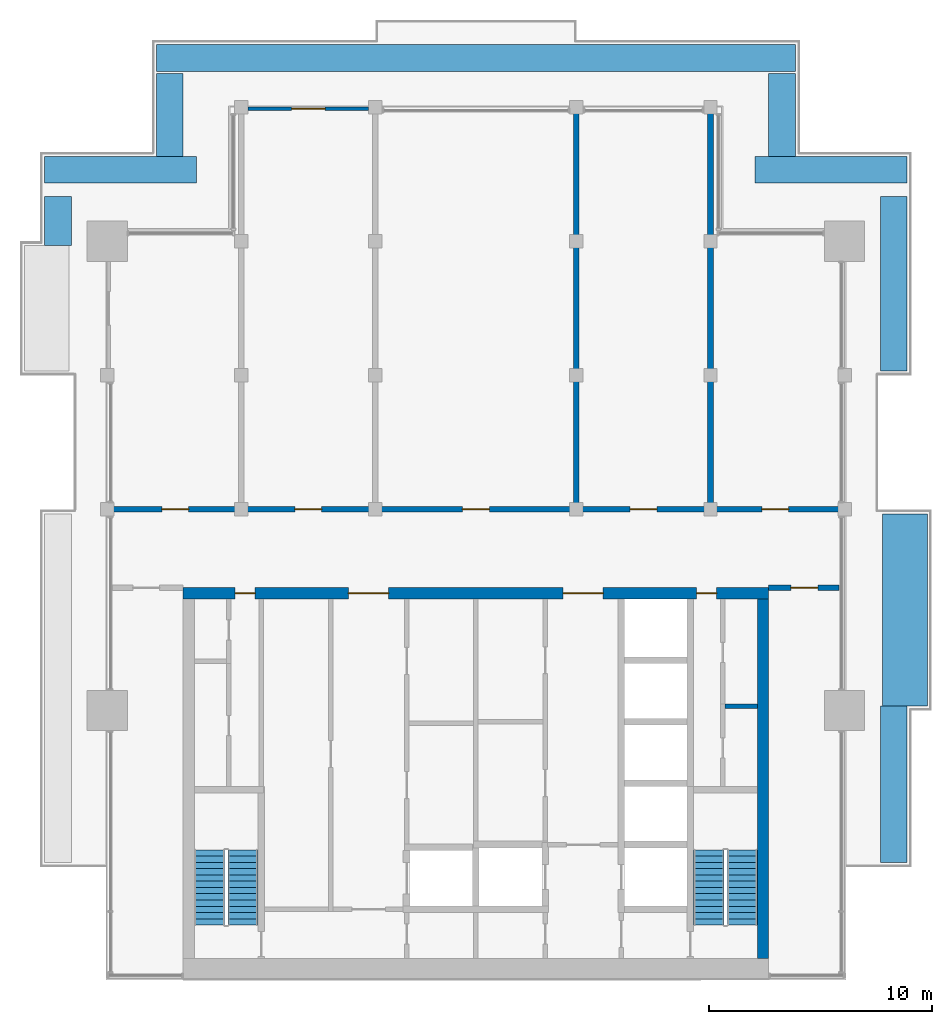
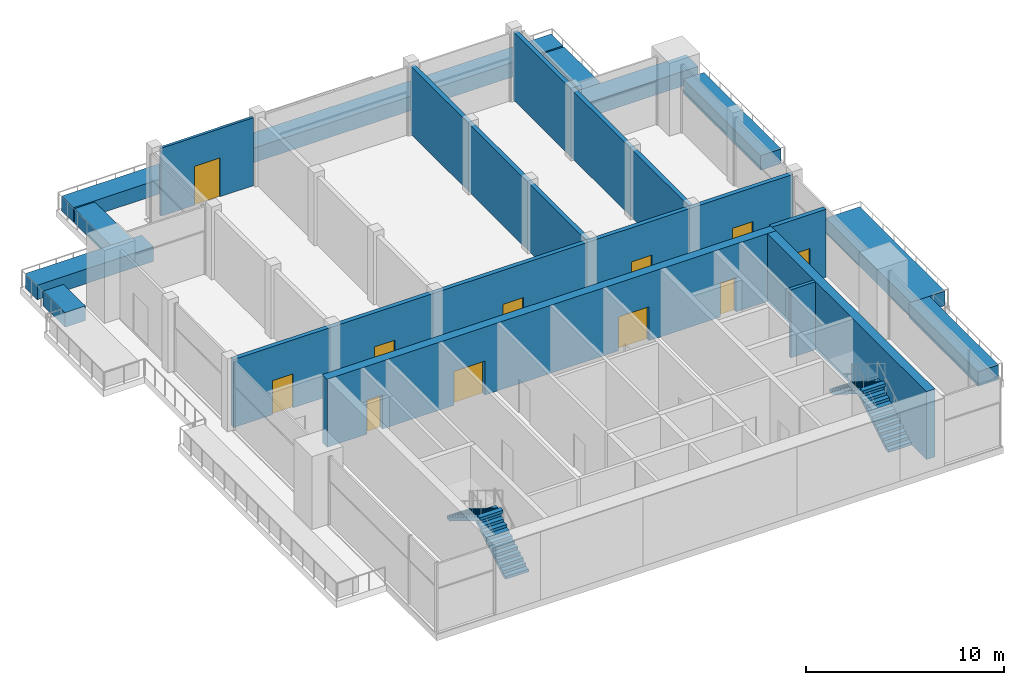
# One storey, part 7 of 9: 17 walls, 11 doors, 4 stair flights, 11 openings, 2 elements without a shape of their own.
"""IFC4 building model written with IfcOpenShell, lengths in metres."""

from ifc_helpers import new_model, si_unit, direction, frame, frame_2d, origin, place, context, subcontext, project, spatial, polyline, rectangle, outline, extrude, material, layer, layer_set, type_object, element, fill, aggregate, save


model = new_model("IFC4")

# Units and contexts
model_context = context("Model", 3, precision=1e-05, world=origin(), true_north=direction((0.0, 1.0)))
body_context = subcontext(model_context, "Body", "Model", "MODEL_VIEW")
ifc_project = project(units=[si_unit("LENGTHUNIT", "METRE"), si_unit("AREAUNIT", "SQUARE_METRE"), si_unit("VOLUMEUNIT", "CUBIC_METRE"), si_unit("PLANEANGLEUNIT", "RADIAN"), si_unit("MASSUNIT", "GRAM", prefix="KILO")], contexts=[model_context])

# Site, building, storey
site_placement = place(None, origin())
site = spatial("IfcSite", under=ifc_project, at=site_placement, CompositionType="ELEMENT")
building_placement = place(site_placement, origin())
building = spatial("IfcBuilding", under=site, at=building_placement, Name="Finial Court Residences", CompositionType="ELEMENT")
storey_placement = place(building_placement, frame((0.0, 0.0, 298.699951171875)))
storey = spatial("IfcBuildingStorey", under=building, at=storey_placement, Name="L76", CompositionType="ELEMENT", Elevation=298.699951171875)

# Wall, openings, doors
ifc_material_1 = material(Name="Concrete C50/60", Category="concrete")
ifc_layer_1 = layer(ifc_material_1, 0.5)
ifc_layer_set_1 = layer_set([ifc_layer_1], Name="Core outer wall 500 Concrete C50/60")
wall_type_1 = type_object("IfcWallType", Name="Core outer wall 500 Concrete C50/60", PredefinedType="SHEAR", material=ifc_layer_set_1)
wall_1_placement = place(storey_placement, frame((-13.10009765625, -8.25, 0.0), z_axis=(0.0, 0.0, 1.0), x_axis=(1.0, 0.0, 0.0)))
wall_1 = element("IfcWall", 1, at=wall_1_placement, inside=storey, type_object=wall_type_1, Name="Core outer wall L76-02", PredefinedType="SHEAR", context=body_context, shape_type="SweptSolid", body=[
    extrude(rectangle(XDim=26.2001953125, YDim=0.5, at=frame_2d((13.10009765625, 0.0))), origin(), (0.0, 0.0, 1.0), 4.199951171875),
])
opening_1_placement = place(wall_1_placement, frame((7.39990234375, 0.0, 0.0)))
opening_1 = element("IfcOpeningElement", 2, at=opening_1_placement, cuts=wall_1, Name="Opening L76-C03", PredefinedType="OPENING", context=body_context, shape_type="SweptSolid", body=[
    extrude(rectangle(XDim=1.800048828125, YDim=2.10009765625, at=frame_2d((0.89990234375, 1.050048828125))), frame((0.0, 0.260009765625, 0.0), z_axis=(0.0, -1.0, 0.0), x_axis=(1.0, 0.0, 0.0)), (0.0, 0.0, 1.0), 0.52001953125),
])
opening_2_placement = place(wall_1_placement, frame((17.0, 0.0, 0.0)))
opening_2 = element("IfcOpeningElement", 3, at=opening_2_placement, cuts=wall_1, Name="Opening L76-C04", PredefinedType="OPENING", context=body_context, shape_type="SweptSolid", body=[
    extrude(rectangle(XDim=1.800048828125, YDim=2.10009765625, at=frame_2d((0.89990234375, 1.050048828125))), frame((0.0, 0.260009765625, 0.0), z_axis=(0.0, -1.0, 0.0), x_axis=(1.0, 0.0, 0.0)), (0.0, 0.0, 1.0), 0.52001953125),
])
opening_3_placement = place(wall_1_placement, frame((2.324951171875, 0.0, 0.0)))
opening_3 = element("IfcOpeningElement", 4, at=opening_3_placement, cuts=wall_1, Name="Opening L76-C13", PredefinedType="OPENING", context=body_context, shape_type="SweptSolid", body=[
    extrude(rectangle(XDim=0.89990234375, YDim=2.10009765625, at=frame_2d((0.449951171875, 1.050048828125))), frame((0.0, 0.260009765625, 0.0), z_axis=(0.0, -1.0, 0.0), x_axis=(1.0, 0.0, 0.0)), (0.0, 0.0, 1.0), 0.52001953125),
])
opening_4_placement = place(wall_1_placement, frame((22.97509765625, 0.0, 0.0)))
opening_4 = element("IfcOpeningElement", 5, at=opening_4_placement, cuts=wall_1, Name="Opening L76-C14", PredefinedType="OPENING", context=body_context, shape_type="SweptSolid", body=[
    extrude(rectangle(XDim=0.89990234375, YDim=2.10009765625, at=frame_2d((0.449951171875, 1.050048828125))), frame((0.0, 0.260009765625, 0.0), z_axis=(0.0, -1.0, 0.0), x_axis=(1.0, 0.0, 0.0)), (0.0, 0.0, 1.0), 0.52001953125),
])
ifc_material_2 = material(Name="Steel fire door", Category="steel")
door_type_1 = type_object("IfcDoorType", Name="Lift lobby door 1800 x 2100 EI 60", OperationType="DOUBLE_DOOR_SINGLE_SWING", PredefinedType="DOOR", material=ifc_material_2)
door_1_placement = place(opening_1_placement, origin())
door_1 = element("IfcDoor", 6, at=door_1_placement, inside=storey, type_object=door_type_1, Name="Lift lobby door L76-C03", OperationType="DOUBLE_DOOR_SINGLE_SWING", OverallHeight=2.10009765625, OverallWidth=1.800048828125, PredefinedType="DOOR", context=body_context, shape_type="SweptSolid", body=[
    extrude(rectangle(XDim=1.800048828125, YDim=2.10009765625, at=frame_2d((0.89990234375, 1.050048828125))), frame((0.0, 0.02490234375, 0.0), z_axis=(0.0, -1.0, 0.0), x_axis=(1.0, 0.0, 0.0)), (0.0, 0.0, 1.0), 0.050048828125),
])
fill(opening_1, door_1)
door_2_placement = place(opening_2_placement, origin())
door_2 = element("IfcDoor", 7, at=door_2_placement, inside=storey, type_object=door_type_1, Name="Lift lobby door L76-C04", OperationType="DOUBLE_DOOR_SINGLE_SWING", OverallHeight=2.10009765625, OverallWidth=1.800048828125, PredefinedType="DOOR", context=body_context, shape_type="SweptSolid", body=[
    extrude(rectangle(XDim=1.800048828125, YDim=2.10009765625, at=frame_2d((0.89990234375, 1.050048828125))), frame((0.0, 0.02490234375, 0.0), z_axis=(0.0, -1.0, 0.0), x_axis=(1.0, 0.0, 0.0)), (0.0, 0.0, 1.0), 0.050048828125),
])
fill(opening_2, door_2)
door_type_2 = type_object("IfcDoorType", Name="Riser room door 900 x 2100 EI 90", OperationType="NOTDEFINED", PredefinedType="DOOR", material=ifc_material_2)
door_3_placement = place(opening_3_placement, origin())
door_3 = element("IfcDoor", 8, at=door_3_placement, inside=storey, type_object=door_type_2, Name="Riser room door L76-C13", OperationType="SINGLE_SWING_RIGHT", OverallHeight=2.10009765625, OverallWidth=0.89990234375, PredefinedType="DOOR", context=body_context, shape_type="SweptSolid", body=[
    extrude(rectangle(XDim=0.89990234375, YDim=2.10009765625, at=frame_2d((0.449951171875, 1.050048828125))), frame((0.0, 0.02490234375, 0.0), z_axis=(0.0, -1.0, 0.0), x_axis=(1.0, 0.0, 0.0)), (0.0, 0.0, 1.0), 0.050048828125),
])
fill(opening_3, door_3)
door_4_placement = place(opening_4_placement, origin())
door_4 = element("IfcDoor", 9, at=door_4_placement, inside=storey, type_object=door_type_2, Name="Riser room door L76-C14", OperationType="SINGLE_SWING_LEFT", OverallHeight=2.10009765625, OverallWidth=0.89990234375, PredefinedType="DOOR", context=body_context, shape_type="SweptSolid", body=[
    extrude(rectangle(XDim=0.89990234375, YDim=2.10009765625, at=frame_2d((0.449951171875, 1.050048828125))), frame((0.0, 0.02490234375, 0.0), z_axis=(0.0, -1.0, 0.0), x_axis=(1.0, 0.0, 0.0)), (0.0, 0.0, 1.0), 0.050048828125),
])
fill(opening_4, door_4)

# Wall
wall_2_placement = place(storey_placement, frame((12.85009765625, -24.60009765625, 0.0), z_axis=(0.0, 0.0, 1.0), x_axis=(0.0, 1.0, 0.0)))
element("IfcWall", 10, at=wall_2_placement, inside=storey, type_object=wall_type_1, Name="Core outer wall L76-04", PredefinedType="SHEAR", context=body_context, shape_type="SweptSolid", body=[
    extrude(rectangle(XDim=16.10009765625, YDim=0.5, at=frame_2d((8.050048828125, 0.0))), origin(), (0.0, 0.0, 1.0), 4.199951171875),
])

# Wall, opening, door
ifc_material_3 = material(Name="Natural limestone", Category="masonry")
ifc_layer_2 = layer(ifc_material_3, 0.14990234375)
ifc_layer_set_2 = layer_set([ifc_layer_2], Name="Limestone clad wall 150")
wall_type_2 = type_object("IfcWallType", Name="Limestone clad wall 150", PredefinedType="SOLIDWALL", material=ifc_layer_set_2)
wall_3_placement = place(storey_placement, frame((-10.199951171875, 13.425048828125, 0.0), z_axis=(0.0, 0.0, 1.0), x_axis=(1.0, 0.0, 0.0)))
wall_3 = element("IfcWall", 11, at=wall_3_placement, inside=storey, type_object=wall_type_2, Name="E-L76-L76-TD1-W", PredefinedType="SOLIDWALL", context=body_context, shape_type="SweptSolid", body=[
    extrude(rectangle(XDim=5.39990234375, YDim=0.14990234375, at=frame_2d((2.699951171875, 0.0))), origin(), (0.0, 0.0, 1.0), 4.199951171875),
])
opening_5_placement = place(wall_3_placement, frame((1.949951171875, 0.0, 0.0)))
opening_5 = element("IfcOpeningElement", 12, at=opening_5_placement, cuts=wall_3, Name="Opening DE76-01", PredefinedType="OPENING", context=body_context, shape_type="SweptSolid", body=[
    extrude(rectangle(XDim=1.5, YDim=2.39990234375, at=frame_2d((0.75, 1.199951171875))), frame((0.0, 0.0849609375, 0.0), z_axis=(0.0, -1.0, 0.0), x_axis=(1.0, 0.0, 0.0)), (0.0, 0.0, 1.0), 0.169921875),
])
ifc_material_4 = material(Name="Bronze anodised aluminium", Category="aluminium")
door_type_3 = type_object("IfcDoorType", Name="Terrace door 1500 x 2400", OperationType="DOUBLE_DOOR_SINGLE_SWING", PredefinedType="DOOR", material=ifc_material_4)
door_5_placement = place(opening_5_placement, origin())
door_5 = element("IfcDoor", 13, at=door_5_placement, inside=storey, type_object=door_type_3, Name="E-L76-L76-TD1-W-D", OperationType="DOUBLE_DOOR_SINGLE_SWING", OverallHeight=2.39990234375, OverallWidth=1.5, PredefinedType="DOOR", context=body_context, shape_type="SweptSolid", body=[
    extrude(rectangle(XDim=1.5, YDim=2.39990234375, at=frame_2d((0.75, 1.199951171875))), frame((0.0, 0.02490234375, 0.0), z_axis=(0.0, -1.0, 0.0), x_axis=(1.0, 0.0, 0.0)), (0.0, 0.0, 1.0), 0.050048828125),
])
fill(opening_5, door_5)

ifc_material_5 = material(Name="Fire-rated board")
ifc_layer_3 = layer(ifc_material_5, 0.050048828125)
ifc_material_6 = material(Name="Mineral wool in double frame")
ifc_layer_4 = layer(ifc_material_6, 0.14990234375)
ifc_layer_5 = layer(ifc_material_5, 0.050048828125)
ifc_layer_set_3 = layer_set([ifc_layer_3, ifc_layer_4, ifc_layer_5], Name="Plant room wall 250, 2 hour")
wall_type_3 = type_object("IfcWallType", Name="Plant room wall 250, 2 hour", PredefinedType="PARTITIONING", material=ifc_layer_set_3)
wall_4_placement = place(storey_placement, frame((13.10009765625, -8.0, 0.0), z_axis=(0.0, 0.0, 1.0), x_axis=(1.0, 0.0, 0.0)))
wall_4 = element("IfcWall", 14, at=wall_4_placement, inside=storey, type_object=wall_type_3, Name="Partition L76-001", PredefinedType="PARTITIONING", context=body_context, shape_type="SweptSolid", body=[
    extrude(rectangle(XDim=3.14990234375, YDim=0.25, at=frame_2d((1.574951171875, 0.0))), origin(), (0.0, 0.0, 1.0), 4.199951171875),
])
opening_6_placement = place(wall_4_placement, frame((1.0, 0.0, 0.0)))
opening_6 = element("IfcOpeningElement", 15, at=opening_6_placement, cuts=wall_4, Name="Opening L76-D002", PredefinedType="OPENING", context=body_context, shape_type="SweptSolid", body=[
    extrude(rectangle(XDim=1.199951171875, YDim=2.10009765625, at=frame_2d((0.60009765625, 1.050048828125))), frame((0.0, 0.135009765625, 0.0), z_axis=(0.0, -1.0, 0.0), x_axis=(1.0, 0.0, 0.0)), (0.0, 0.0, 1.0), 0.27001953125),
])
ifc_material_7 = material(Name="Timber door leaf in hollow metal frame", Category="wood")
door_type_4 = type_object("IfcDoorType", Name="Fire door set 1200 x 2100, 60 minutes", OperationType="SINGLE_SWING_LEFT", PredefinedType="DOOR", material=ifc_material_7)
door_6_placement = place(opening_6_placement, origin())
door_6 = element("IfcDoor", 16, at=door_6_placement, inside=storey, type_object=door_type_4, Name="Door L76-D002", OperationType="SINGLE_SWING_LEFT", OverallHeight=2.10009765625, OverallWidth=1.199951171875, PredefinedType="DOOR", context=body_context, shape_type="SweptSolid", body=[
    extrude(rectangle(XDim=1.199951171875, YDim=2.10009765625, at=frame_2d((0.60009765625, 1.050048828125))), frame((0.0, 0.02490234375, 0.0), z_axis=(0.0, -1.0, 0.0), x_axis=(1.0, 0.0, 0.0)), (0.0, 0.0, 1.0), 0.050048828125),
])
fill(opening_6, door_6)

# Wall, openings, doors
wall_5_placement = place(storey_placement, frame((-16.35009765625, -4.5, 0.0), z_axis=(0.0, 0.0, 1.0), x_axis=(1.0, 0.0, 0.0)))
wall_5 = element("IfcWall", 17, at=wall_5_placement, inside=storey, type_object=wall_type_3, Name="Partition L76-002", PredefinedType="PARTITIONING", context=body_context, shape_type="SweptSolid", body=[
    extrude(rectangle(XDim=32.7001953125, YDim=0.25, at=frame_2d((16.35009765625, 0.0))), origin(), (0.0, 0.0, 1.0), 4.199951171875),
])
opening_7_placement = place(wall_5_placement, frame((2.300048828125, 0.0, 0.0)))
opening_7 = element("IfcOpeningElement", 18, at=opening_7_placement, cuts=wall_5, Name="Opening L76-D003", PredefinedType="OPENING", context=body_context, shape_type="SweptSolid", body=[
    extrude(rectangle(XDim=1.199951171875, YDim=2.10009765625, at=frame_2d((0.60009765625, 1.050048828125))), frame((0.0, 0.135009765625, 0.0), z_axis=(0.0, -1.0, 0.0), x_axis=(1.0, 0.0, 0.0)), (0.0, 0.0, 1.0), 0.27001953125),
])
opening_8_placement = place(wall_5_placement, frame((8.25, 0.0, 0.0)))
opening_8 = element("IfcOpeningElement", 19, at=opening_8_placement, cuts=wall_5, Name="Opening L76-D004", PredefinedType="OPENING", context=body_context, shape_type="SweptSolid", body=[
    extrude(rectangle(XDim=1.199951171875, YDim=2.10009765625, at=frame_2d((0.60009765625, 1.050048828125))), frame((0.0, 0.135009765625, 0.0), z_axis=(0.0, -1.0, 0.0), x_axis=(1.0, 0.0, 0.0)), (0.0, 0.0, 1.0), 0.27001953125),
])
opening_9_placement = place(wall_5_placement, frame((15.75, 0.0, 0.0)))
opening_9 = element("IfcOpeningElement", 20, at=opening_9_placement, cuts=wall_5, Name="Opening L76-D005", PredefinedType="OPENING", context=body_context, shape_type="SweptSolid", body=[
    extrude(rectangle(XDim=1.199951171875, YDim=2.10009765625, at=frame_2d((0.60009765625, 1.050048828125))), frame((0.0, 0.135009765625, 0.0), z_axis=(0.0, -1.0, 0.0), x_axis=(1.0, 0.0, 0.0)), (0.0, 0.0, 1.0), 0.27001953125),
])
opening_10_placement = place(wall_5_placement, frame((23.25, 0.0, 0.0)))
opening_10 = element("IfcOpeningElement", 21, at=opening_10_placement, cuts=wall_5, Name="Opening L76-D006", PredefinedType="OPENING", context=body_context, shape_type="SweptSolid", body=[
    extrude(rectangle(XDim=1.199951171875, YDim=2.10009765625, at=frame_2d((0.60009765625, 1.050048828125))), frame((0.0, 0.135009765625, 0.0), z_axis=(0.0, -1.0, 0.0), x_axis=(1.0, 0.0, 0.0)), (0.0, 0.0, 1.0), 0.27001953125),
])
opening_11_placement = place(wall_5_placement, frame((29.14990234375, 0.0, 0.0)))
opening_11 = element("IfcOpeningElement", 22, at=opening_11_placement, cuts=wall_5, Name="Opening L76-D007", PredefinedType="OPENING", context=body_context, shape_type="SweptSolid", body=[
    extrude(rectangle(XDim=1.199951171875, YDim=2.10009765625, at=frame_2d((0.60009765625, 1.050048828125))), frame((0.0, 0.135009765625, 0.0), z_axis=(0.0, -1.0, 0.0), x_axis=(1.0, 0.0, 0.0)), (0.0, 0.0, 1.0), 0.27001953125),
])
door_7_placement = place(opening_7_placement, origin())
door_7 = element("IfcDoor", 23, at=door_7_placement, inside=storey, type_object=door_type_4, Name="Door L76-D003", OperationType="SINGLE_SWING_RIGHT", OverallHeight=2.10009765625, OverallWidth=1.199951171875, PredefinedType="DOOR", context=body_context, shape_type="SweptSolid", body=[
    extrude(rectangle(XDim=1.199951171875, YDim=2.10009765625, at=frame_2d((0.60009765625, 1.050048828125))), frame((0.0, 0.02490234375, 0.0), z_axis=(0.0, -1.0, 0.0), x_axis=(1.0, 0.0, 0.0)), (0.0, 0.0, 1.0), 0.050048828125),
])
fill(opening_7, door_7)
door_8_placement = place(opening_8_placement, origin())
door_8 = element("IfcDoor", 24, at=door_8_placement, inside=storey, type_object=door_type_4, Name="Door L76-D004", OperationType="SINGLE_SWING_RIGHT", OverallHeight=2.10009765625, OverallWidth=1.199951171875, PredefinedType="DOOR", context=body_context, shape_type="SweptSolid", body=[
    extrude(rectangle(XDim=1.199951171875, YDim=2.10009765625, at=frame_2d((0.60009765625, 1.050048828125))), frame((0.0, 0.02490234375, 0.0), z_axis=(0.0, -1.0, 0.0), x_axis=(1.0, 0.0, 0.0)), (0.0, 0.0, 1.0), 0.050048828125),
])
fill(opening_8, door_8)
door_9_placement = place(opening_9_placement, origin())
door_9 = element("IfcDoor", 25, at=door_9_placement, inside=storey, type_object=door_type_4, Name="Door L76-D005", OperationType="SINGLE_SWING_RIGHT", OverallHeight=2.10009765625, OverallWidth=1.199951171875, PredefinedType="DOOR", context=body_context, shape_type="SweptSolid", body=[
    extrude(rectangle(XDim=1.199951171875, YDim=2.10009765625, at=frame_2d((0.60009765625, 1.050048828125))), frame((0.0, 0.02490234375, 0.0), z_axis=(0.0, -1.0, 0.0), x_axis=(1.0, 0.0, 0.0)), (0.0, 0.0, 1.0), 0.050048828125),
])
fill(opening_9, door_9)
door_10_placement = place(opening_10_placement, origin())
door_10 = element("IfcDoor", 26, at=door_10_placement, inside=storey, type_object=door_type_4, Name="Door L76-D006", OperationType="SINGLE_SWING_LEFT", OverallHeight=2.10009765625, OverallWidth=1.199951171875, PredefinedType="DOOR", context=body_context, shape_type="SweptSolid", body=[
    extrude(rectangle(XDim=1.199951171875, YDim=2.10009765625, at=frame_2d((0.60009765625, 1.050048828125))), frame((0.0, 0.02490234375, 0.0), z_axis=(0.0, -1.0, 0.0), x_axis=(1.0, 0.0, 0.0)), (0.0, 0.0, 1.0), 0.050048828125),
])
fill(opening_10, door_10)
door_11_placement = place(opening_11_placement, origin())
door_11 = element("IfcDoor", 27, at=door_11_placement, inside=storey, type_object=door_type_4, Name="Door L76-D007", OperationType="SINGLE_SWING_LEFT", OverallHeight=2.10009765625, OverallWidth=1.199951171875, PredefinedType="DOOR", context=body_context, shape_type="SweptSolid", body=[
    extrude(rectangle(XDim=1.199951171875, YDim=2.10009765625, at=frame_2d((0.60009765625, 1.050048828125))), frame((0.0, 0.02490234375, 0.0), z_axis=(0.0, -1.0, 0.0), x_axis=(1.0, 0.0, 0.0)), (0.0, 0.0, 1.0), 0.050048828125),
])
fill(opening_11, door_11)

# Walls
for number, where, z_axis, x_axis, name in (
    (28, (4.5, -4.375, 0.0), (0.0, 0.0, 1.0), (0.0, 1.0, 0.0), "Partition L76-005"),
    (29, (10.5, -4.375, 0.0), (0.0, 0.0, 1.0), (0.0, 1.0, 0.0), "Partition L76-006"),
):
    element("IfcWall", number, at=place(storey_placement, frame(where, z_axis=z_axis, x_axis=x_axis)), inside=storey, type_object=wall_type_3, Name=name, PredefinedType="PARTITIONING", context=body_context, shape_type="SweptSolid", body=[
        extrude(rectangle(XDim=17.72509765625, YDim=0.25, at=frame_2d((8.862548828125, 0.0))), origin(), (0.0, 0.0, 1.0), 4.199951171875),
    ])
ifc_material_8 = material(Name="Concrete C40/50", Category="concrete")
ifc_layer_6 = layer(ifc_material_8, 0.199951171875)
ifc_material_9 = material(Name="Planting soil", Category="soil")
ifc_layer_7 = layer(ifc_material_9, 0.800048828125)
ifc_layer_8 = layer(ifc_material_8, 0.199951171875)
ifc_layer_set_4 = layer_set([ifc_layer_6, ifc_layer_7, ifc_layer_8], Name="Planter wall, terrace 1200")
wall_type_4 = type_object("IfcWallType", Name="Planter wall, terrace 1200", PredefinedType="USERDEFINED", material=ifc_layer_set_4)
wall_6_placement = place(storey_placement, frame((-18.699951171875, 7.300048828125, 0.0), z_axis=(0.0, 0.0, 1.0), x_axis=(0.0, 1.0, 0.0)))
element("IfcWall", 30, at=wall_6_placement, inside=storey, type_object=wall_type_4, Name="E-L76-TER1-PL3", ObjectType="PLANTER", PredefinedType="USERDEFINED", context=body_context, shape_type="SweptSolid", body=[
    extrude(rectangle(XDim=2.199951171875, YDim=1.199951171875, at=frame_2d((1.10009765625, 0.0))), origin(), (0.0, 0.0, 1.0), 0.900146484375),
])
wall_7_placement = place(storey_placement, frame((-19.300048828125, 10.699951171875, 0.0), z_axis=(0.0, 0.0, 1.0), x_axis=(1.0, 0.0, 0.0)))
element("IfcWall", 31, at=wall_7_placement, inside=storey, type_object=wall_type_4, Name="E-L76-TER1-PL4", ObjectType="PLANTER", PredefinedType="USERDEFINED", context=body_context, shape_type="SweptSolid", body=[
    extrude(rectangle(XDim=6.800048828125, YDim=1.199951171875, at=frame_2d((3.39990234375, 0.0))), origin(), (0.0, 0.0, 1.0), 0.900146484375),
])
wall_8_placement = place(storey_placement, frame((-13.699951171875, 11.300048828125, 0.0), z_axis=(0.0, 0.0, 1.0), x_axis=(0.0, 1.0, 0.0)))
element("IfcWall", 32, at=wall_8_placement, inside=storey, type_object=wall_type_4, Name="E-L76-TER1-PL5", ObjectType="PLANTER", PredefinedType="USERDEFINED", context=body_context, shape_type="SweptSolid", body=[
    extrude(rectangle(XDim=3.699951171875, YDim=1.199951171875, at=frame_2d((1.85009765625, 0.0))), origin(), (0.0, 0.0, 1.0), 0.900146484375),
])
wall_9_placement = place(storey_placement, frame((-14.300048828125, 15.699951171875, 0.0), z_axis=(0.0, 0.0, 1.0), x_axis=(1.0, 0.0, 0.0)))
element("IfcWall", 33, at=wall_9_placement, inside=storey, type_object=wall_type_4, Name="E-L76-TER1-PL6", ObjectType="PLANTER", PredefinedType="USERDEFINED", context=body_context, shape_type="SweptSolid", body=[
    extrude(rectangle(XDim=28.60009765625, YDim=1.199951171875, at=frame_2d((14.300048828125, 0.0))), origin(), (0.0, 0.0, 1.0), 0.900146484375),
])
wall_10_placement = place(storey_placement, frame((13.699951171875, 11.300048828125, 0.0), z_axis=(0.0, 0.0, 1.0), x_axis=(0.0, 1.0, 0.0)))
element("IfcWall", 34, at=wall_10_placement, inside=storey, type_object=wall_type_4, Name="E-L76-TER1-PL7", ObjectType="PLANTER", PredefinedType="USERDEFINED", context=body_context, shape_type="SweptSolid", body=[
    extrude(rectangle(XDim=3.699951171875, YDim=1.199951171875, at=frame_2d((1.85009765625, 0.0))), origin(), (0.0, 0.0, 1.0), 0.900146484375),
])
wall_11_placement = place(storey_placement, frame((12.5, 10.699951171875, 0.0), z_axis=(0.0, 0.0, 1.0), x_axis=(1.0, 0.0, 0.0)))
element("IfcWall", 35, at=wall_11_placement, inside=storey, type_object=wall_type_4, Name="E-L76-TER1-PL8", ObjectType="PLANTER", PredefinedType="USERDEFINED", context=body_context, shape_type="SweptSolid", body=[
    extrude(rectangle(XDim=6.800048828125, YDim=1.199951171875, at=frame_2d((3.39990234375, 0.0))), origin(), (0.0, 0.0, 1.0), 0.900146484375),
])
wall_12_placement = place(storey_placement, frame((18.699951171875, -20.300048828125, 0.0), z_axis=(0.0, 0.0, 1.0), x_axis=(0.0, 1.0, 0.0)))
element("IfcWall", 36, at=wall_12_placement, inside=storey, type_object=wall_type_4, Name="E-L76-TER1-PL9", ObjectType="PLANTER", PredefinedType="USERDEFINED", context=body_context, shape_type="SweptSolid", body=[
    extrude(rectangle(XDim=7.0, YDim=1.199951171875, at=frame_2d((3.5, 0.0))), origin(), (0.0, 0.0, 1.0), 0.900146484375),
])
wall_13_placement = place(storey_placement, frame((18.699951171875, 1.699951171875, 0.0), z_axis=(0.0, 0.0, 1.0), x_axis=(0.0, 1.0, 0.0)))
element("IfcWall", 37, at=wall_13_placement, inside=storey, type_object=wall_type_4, Name="E-L76-TER1-PL10", ObjectType="PLANTER", PredefinedType="USERDEFINED", context=body_context, shape_type="SweptSolid", body=[
    extrude(rectangle(XDim=7.800048828125, YDim=1.199951171875, at=frame_2d((3.89990234375, 0.0))), origin(), (0.0, 0.0, 1.0), 0.900146484375),
])
ifc_layer_9 = layer(ifc_material_8, 0.199951171875)
ifc_layer_10 = layer(ifc_material_9, 1.60009765625)
ifc_layer_11 = layer(ifc_material_8, 0.199951171875)
ifc_layer_set_5 = layer_set([ifc_layer_9, ifc_layer_10, ifc_layer_11], Name="Planter wall, terrace 2000")
wall_type_5 = type_object("IfcWallType", Name="Planter wall, terrace 2000", PredefinedType="USERDEFINED", material=ifc_layer_set_5)
wall_14_placement = place(storey_placement, frame((19.199951171875, -13.300048828125, 0.0), z_axis=(0.0, 0.0, 1.0), x_axis=(0.0, 1.0, 0.0)))
element("IfcWall", 38, at=wall_14_placement, inside=storey, type_object=wall_type_5, Name="E-L76-TER1-PL11", ObjectType="PLANTER", PredefinedType="USERDEFINED", context=body_context, shape_type="SweptSolid", body=[
    extrude(rectangle(XDim=8.60009765625, YDim=2.0, at=frame_2d((4.300048828125, 0.0))), origin(), (0.0, 0.0, 1.0), 0.900146484375),
])
ifc_material_10 = material(Name="Fire-rated gypsum board partition")
ifc_layer_12 = layer(ifc_material_10, 0.199951171875)
ifc_layer_set_6 = layer_set([ifc_layer_12], Name="Riser room wall 200 EI 120")
wall_type_6 = type_object("IfcWallType", Name="Riser room wall 200 EI 120", PredefinedType="PARTITIONING", material=ifc_layer_set_6)
wall_15_placement = place(storey_placement, frame((11.14990234375, -13.300048828125, 0.0), z_axis=(0.0, 0.0, 1.0), x_axis=(1.0, 0.0, 0.0)))
element("IfcWall", 39, at=wall_15_placement, inside=storey, type_object=wall_type_6, Name="Core partition L76-15", PredefinedType="PARTITIONING", context=body_context, shape_type="SweptSolid", body=[
    extrude(rectangle(XDim=1.4501953125, YDim=0.199951171875, at=frame_2d((0.72509765625, 0.0))), origin(), (0.0, 0.0, 1.0), 4.199951171875),
])

# Stair, stair flights
stair_type = type_object("IfcStairType", Name="Exit stair 26 risers of 173.1 mm", PredefinedType="HALF_TURN_STAIR", material=ifc_material_1)
stair_1_placement = place(storey_placement, origin())
stair_1 = element("IfcStair", 40, at=stair_1_placement, inside=storey, type_object=stair_type, Name="L76 Exit stair ST-1", PredefinedType="HALF_TURN_STAIR")
stair_flight_type = type_object("IfcStairFlightType", Name="Exit stair flight", PredefinedType="STRAIGHT", material=ifc_material_1)
stair_flight_1_placement = place(storey_placement, frame((-10.425048828125, -23.10009765625, 0.0), z_axis=(0.0, 0.0, 1.0), x_axis=(0.0, 1.0, 0.0)))
stair_flight_1 = element("IfcStairFlight", 41, at=stair_flight_1_placement, type_object=stair_flight_type, Name="ST-1 flight 1", NumberOfRisers=13, NumberOfTreads=12, PredefinedType="STRAIGHT", RiserHeight=0.173076923, TreadLength=0.28, context=body_context, shape_type="SweptSolid", body=[
    extrude(outline(polyline([(0.0, 0.0), (0.0, 0.173095703125), (0.280029296875, 0.173095703125), (0.280029296875, 0.34619140625), (0.56005859375, 0.34619140625), (0.56005859375, 0.519287109375), (0.840087890625, 0.519287109375), (0.840087890625, 0.6923828125), (1.1201171875, 0.6923828125), (1.1201171875, 0.865478515625), (1.39990234375, 0.865478515625), (1.39990234375, 1.03857421875), (1.679931640625, 1.03857421875), (1.679931640625, 1.21142578125), (1.9599609375, 1.21142578125), (1.9599609375, 1.384521484375), (2.239990234375, 1.384521484375), (2.239990234375, 1.5576171875), (2.52001953125, 1.5576171875), (2.52001953125, 1.730712890625), (2.800048828125, 1.730712890625), (2.800048828125, 1.90380859375), (3.080078125, 1.90380859375), (3.080078125, 2.076904296875), (3.360107421875, 2.076904296875), (3.360107421875, 2.25), (3.360107421875, 1.900634765625), (0.28515625, 0.0), (0.0, 0.0)])), frame((0.0, 0.675048828125, 0.0), z_axis=(0.0, -1.0, 0.0), x_axis=(1.0, 0.0, 0.0)), (0.0, 0.0, 1.0), 1.35009765625),
])
stair_flight_2_placement = place(storey_placement, frame((-11.925048828125, -19.739990234375, 2.25), z_axis=(0.0, 0.0, 1.0), x_axis=(0.0, -1.0, 0.0)))
stair_flight_2 = element("IfcStairFlight", 42, at=stair_flight_2_placement, type_object=stair_flight_type, Name="ST-1 flight 2", NumberOfRisers=13, NumberOfTreads=12, PredefinedType="STRAIGHT", RiserHeight=0.173076923, TreadLength=0.28, context=body_context, shape_type="SweptSolid", body=[
    extrude(outline(polyline([(0.0, 0.0), (0.0, 0.173095703125), (0.280029296875, 0.173095703125), (0.280029296875, 0.34619140625), (0.56005859375, 0.34619140625), (0.56005859375, 0.519287109375), (0.840087890625, 0.519287109375), (0.840087890625, 0.6923828125), (1.1201171875, 0.6923828125), (1.1201171875, 0.865478515625), (1.39990234375, 0.865478515625), (1.39990234375, 1.03857421875), (1.679931640625, 1.03857421875), (1.679931640625, 1.21142578125), (1.9599609375, 1.21142578125), (1.9599609375, 1.384521484375), (2.239990234375, 1.384521484375), (2.239990234375, 1.5576171875), (2.52001953125, 1.5576171875), (2.52001953125, 1.730712890625), (2.800048828125, 1.730712890625), (2.800048828125, 1.90380859375), (3.080078125, 1.90380859375), (3.080078125, 2.076904296875), (3.360107421875, 2.076904296875), (3.360107421875, 2.25), (3.360107421875, 1.900634765625), (0.28515625, 0.0), (0.0, 0.0)])), frame((0.0, 0.675048828125, 0.0), z_axis=(0.0, -1.0, 0.0), x_axis=(1.0, 0.0, 0.0)), (0.0, 0.0, 1.0), 1.35009765625),
])
aggregate(stair_1, [stair_flight_1, stair_flight_2])

stair_2_placement = place(storey_placement, origin())
stair_2 = element("IfcStair", 43, at=stair_2_placement, inside=storey, type_object=stair_type, Name="L76 Exit stair ST-2", PredefinedType="HALF_TURN_STAIR")
stair_flight_3_placement = place(storey_placement, frame((11.925048828125, -23.10009765625, 0.0), z_axis=(0.0, 0.0, 1.0), x_axis=(0.0, 1.0, 0.0)))
stair_flight_3 = element("IfcStairFlight", 44, at=stair_flight_3_placement, type_object=stair_flight_type, Name="ST-2 flight 1", NumberOfRisers=13, NumberOfTreads=12, PredefinedType="STRAIGHT", RiserHeight=0.173076923, TreadLength=0.28, context=body_context, shape_type="SweptSolid", body=[
    extrude(outline(polyline([(0.0, 0.0), (0.0, 0.173095703125), (0.280029296875, 0.173095703125), (0.280029296875, 0.34619140625), (0.56005859375, 0.34619140625), (0.56005859375, 0.519287109375), (0.840087890625, 0.519287109375), (0.840087890625, 0.6923828125), (1.1201171875, 0.6923828125), (1.1201171875, 0.865478515625), (1.39990234375, 0.865478515625), (1.39990234375, 1.03857421875), (1.679931640625, 1.03857421875), (1.679931640625, 1.21142578125), (1.9599609375, 1.21142578125), (1.9599609375, 1.384521484375), (2.239990234375, 1.384521484375), (2.239990234375, 1.5576171875), (2.52001953125, 1.5576171875), (2.52001953125, 1.730712890625), (2.800048828125, 1.730712890625), (2.800048828125, 1.90380859375), (3.080078125, 1.90380859375), (3.080078125, 2.076904296875), (3.360107421875, 2.076904296875), (3.360107421875, 2.25), (3.360107421875, 1.900634765625), (0.28515625, 0.0), (0.0, 0.0)])), frame((0.0, 0.675048828125, 0.0), z_axis=(0.0, -1.0, 0.0), x_axis=(1.0, 0.0, 0.0)), (0.0, 0.0, 1.0), 1.35009765625),
])
stair_flight_4_placement = place(storey_placement, frame((10.425048828125, -19.739990234375, 2.25), z_axis=(0.0, 0.0, 1.0), x_axis=(0.0, -1.0, 0.0)))
stair_flight_4 = element("IfcStairFlight", 45, at=stair_flight_4_placement, type_object=stair_flight_type, Name="ST-2 flight 2", NumberOfRisers=13, NumberOfTreads=12, PredefinedType="STRAIGHT", RiserHeight=0.173076923, TreadLength=0.28, context=body_context, shape_type="SweptSolid", body=[
    extrude(outline(polyline([(0.0, 0.0), (0.0, 0.173095703125), (0.280029296875, 0.173095703125), (0.280029296875, 0.34619140625), (0.56005859375, 0.34619140625), (0.56005859375, 0.519287109375), (0.840087890625, 0.519287109375), (0.840087890625, 0.6923828125), (1.1201171875, 0.6923828125), (1.1201171875, 0.865478515625), (1.39990234375, 0.865478515625), (1.39990234375, 1.03857421875), (1.679931640625, 1.03857421875), (1.679931640625, 1.21142578125), (1.9599609375, 1.21142578125), (1.9599609375, 1.384521484375), (2.239990234375, 1.384521484375), (2.239990234375, 1.5576171875), (2.52001953125, 1.5576171875), (2.52001953125, 1.730712890625), (2.800048828125, 1.730712890625), (2.800048828125, 1.90380859375), (3.080078125, 1.90380859375), (3.080078125, 2.076904296875), (3.360107421875, 2.076904296875), (3.360107421875, 2.25), (3.360107421875, 1.900634765625), (0.28515625, 0.0), (0.0, 0.0)])), frame((0.0, 0.675048828125, 0.0), z_axis=(0.0, -1.0, 0.0), x_axis=(1.0, 0.0, 0.0)), (0.0, 0.0, 1.0), 1.35009765625),
])
aggregate(stair_2, [stair_flight_3, stair_flight_4])

save(model, "model.ifc")
